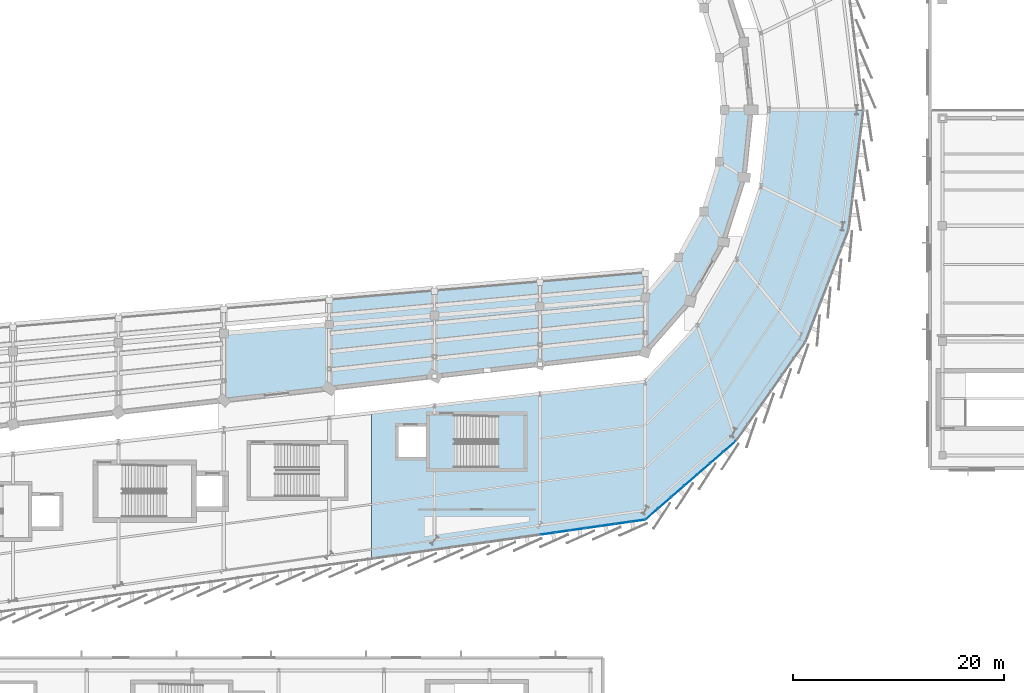
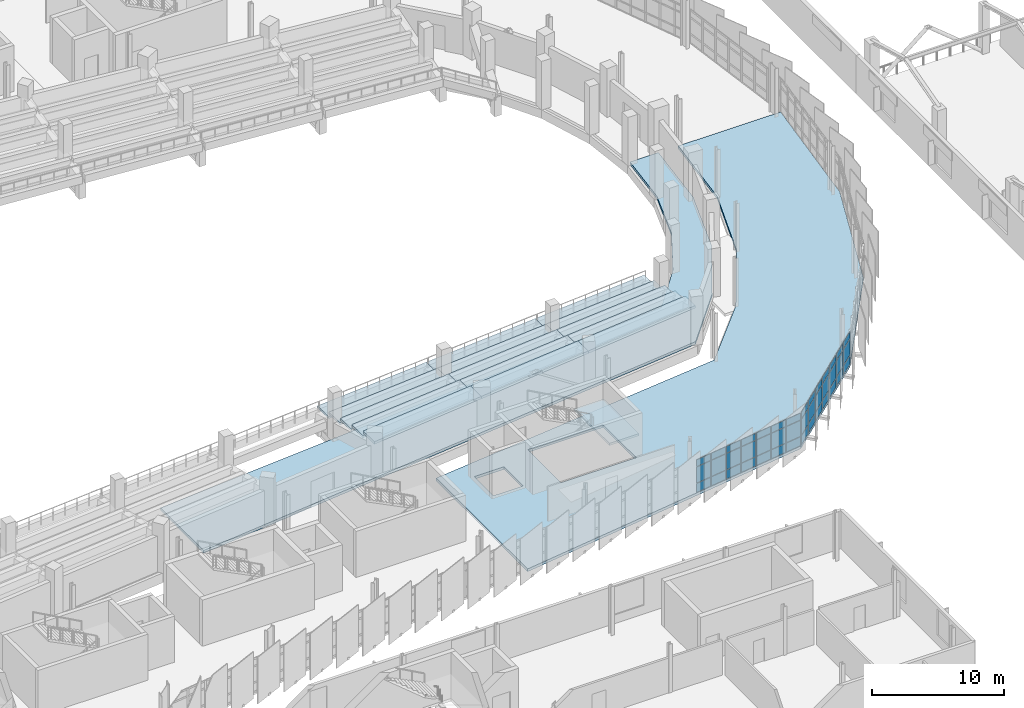
# One storey, part 88 of 120: 42 plates, 18 slabs, 3 elements without a shape of their own.
"""IFC4 building model written with IfcOpenShell, lengths in metres."""

from ifc_helpers import new_model, si_unit, direction, frame, origin, origin_2d, place, context, subcontext, project, spatial, polyline, rectangle, outline, extrude, material, layer, layer_set, type_object, element, aggregate, save


model = new_model("IFC4")

# Units and contexts
model_context = context("Model", 3, precision=1e-05, world=origin(), true_north=direction((0.0, 1.0)))
body_context = subcontext(model_context, "Body", "Model", "MODEL_VIEW")
ifc_project = project(units=[si_unit("LENGTHUNIT", "METRE"), si_unit("AREAUNIT", "SQUARE_METRE"), si_unit("VOLUMEUNIT", "CUBIC_METRE"), si_unit("PLANEANGLEUNIT", "RADIAN"), si_unit("MASSUNIT", "GRAM", prefix="KILO")], contexts=[model_context])

# Site, building, storey
site_placement = place(None, origin())
site = spatial("IfcSite", under=ifc_project, at=site_placement, CompositionType="ELEMENT")
building_placement = place(site_placement, origin())
building = spatial("IfcBuilding", under=site, at=building_placement, Name="Sohan Crest Arena", CompositionType="ELEMENT")
storey_placement = place(building_placement, frame((0.0, 0.0, 13.5)))
storey = spatial("IfcBuildingStorey", under=building, at=storey_placement, Name="L03", CompositionType="ELEMENT", Elevation=13.5)

# Curtain wall, plates
ifc_material_1 = material(Name="Thermally broken anodised aluminium", Category="aluminium")
ifc_layer_1 = layer(ifc_material_1, 0.179931640625, Name="Thermally broken anodised aluminium")
ifc_layer_set_1 = layer_set([ifc_layer_1], Name="Thermally broken anodised aluminium")
curtain_wall_type_1 = type_object("IfcCurtainWallType", Name="ARC-CW01", PredefinedType="NOTDEFINED", material=ifc_layer_set_1)
curtain_wall_1_placement = place(storey_placement, origin())
curtain_wall_1 = element("IfcCurtainWall", 1, at=curtain_wall_1_placement, inside=storey, type_object=curtain_wall_type_1, Name="Unitised curtain wall CW-096", PredefinedType="NOTDEFINED")
ifc_material_2 = material(Name="Ceramic-fritted solar-control insulated glass", Category="glass")
ifc_layer_2 = layer(ifc_material_2, 0.035888671875, Name="Ceramic-fritted solar-control insulated glass")
ifc_layer_set_2 = layer_set([ifc_layer_2], Name="Ceramic-fritted solar-control insulated glass")
plate_type_1 = type_object("IfcPlateType", Name="ARC-CNP03", PredefinedType="CURTAIN_PANEL", material=ifc_layer_set_2)
plate_1_placement = place(storey_placement, frame((158.731689453125, 37.775634765625, 0.06005859375), z_axis=(0.0, 0.0, 1.0), x_axis=(0.989943553128, 0.141462933734, 0.0)))
plate_1 = element("IfcPlate", 2, at=plate_1_placement, type_object=plate_type_1, Name="CW-096 panel 1.1", PredefinedType="CURTAIN_PANEL", context=body_context, shape_type="SweptSolid", body=[
    extrude(rectangle(XDim=1.338134765625, YDim=0.035888671875, at=origin_2d()), origin(), (0.0, 0.0, 1.0), 0.81005859375),
])
plate_2_placement = place(storey_placement, frame((158.731689453125, 37.775634765625, 0.929931640625), z_axis=(0.0, 0.0, 1.0), x_axis=(0.989943553128, 0.141462933734, 0.0)))
plate_2 = element("IfcPlate", 3, at=plate_2_placement, type_object=plate_type_1, Name="CW-096 panel 1.2", PredefinedType="CURTAIN_PANEL", context=body_context, shape_type="SweptSolid", body=[
    extrude(rectangle(XDim=1.338134765625, YDim=0.035888671875, at=origin_2d()), origin(), (0.0, 0.0, 1.0), 1.4599609375),
])
plate_3_placement = place(storey_placement, frame((158.731689453125, 37.775634765625, 2.44970703125), z_axis=(0.0, 0.0, 1.0), x_axis=(0.989943553128, 0.141462933734, 0.0)))
plate_3 = element("IfcPlate", 4, at=plate_3_placement, type_object=plate_type_1, Name="CW-096 panel 1.3", PredefinedType="CURTAIN_PANEL", context=body_context, shape_type="SweptSolid", body=[
    extrude(rectangle(XDim=1.338134765625, YDim=0.035888671875, at=origin_2d()), origin(), (0.0, 0.0, 1.0), 0.610107421875),
])
plate_4_placement = place(storey_placement, frame((160.142822265625, 37.977294921875, 0.06005859375), z_axis=(0.0, 0.0, 1.0), x_axis=(0.989943553128, 0.141462933734, 0.0)))
plate_4 = element("IfcPlate", 5, at=plate_4_placement, type_object=plate_type_1, Name="CW-096 panel 2.1", PredefinedType="CURTAIN_PANEL", context=body_context, shape_type="SweptSolid", body=[
    extrude(rectangle(XDim=1.373046875, YDim=0.035888671875, at=origin_2d()), origin(), (0.0, 0.0, 1.0), 0.81005859375),
])
plate_5_placement = place(storey_placement, frame((160.142822265625, 37.977294921875, 0.929931640625), z_axis=(0.0, 0.0, 1.0), x_axis=(0.989943553128, 0.141462933734, 0.0)))
plate_5 = element("IfcPlate", 6, at=plate_5_placement, type_object=plate_type_1, Name="CW-096 panel 2.2", PredefinedType="CURTAIN_PANEL", context=body_context, shape_type="SweptSolid", body=[
    extrude(rectangle(XDim=1.373046875, YDim=0.035888671875, at=origin_2d()), origin(), (0.0, 0.0, 1.0), 1.4599609375),
])
plate_6_placement = place(storey_placement, frame((160.142822265625, 37.977294921875, 2.44970703125), z_axis=(0.0, 0.0, 1.0), x_axis=(0.989943553128, 0.141462933734, 0.0)))
plate_6 = element("IfcPlate", 7, at=plate_6_placement, type_object=plate_type_1, Name="CW-096 panel 2.3", PredefinedType="CURTAIN_PANEL", context=body_context, shape_type="SweptSolid", body=[
    extrude(rectangle(XDim=1.373046875, YDim=0.035888671875, at=origin_2d()), origin(), (0.0, 0.0, 1.0), 0.610107421875),
])
plate_7_placement = place(storey_placement, frame((161.571533203125, 38.181396484375, 0.06005859375), z_axis=(0.0, 0.0, 1.0), x_axis=(0.989943553128, 0.141462933734, 0.0)))
plate_7 = element("IfcPlate", 8, at=plate_7_placement, type_object=plate_type_1, Name="CW-096 panel 3.1", PredefinedType="CURTAIN_PANEL", context=body_context, shape_type="SweptSolid", body=[
    extrude(rectangle(XDim=1.373046875, YDim=0.035888671875, at=origin_2d()), origin(), (0.0, 0.0, 1.0), 0.81005859375),
])
plate_8_placement = place(storey_placement, frame((161.571533203125, 38.181396484375, 0.929931640625), z_axis=(0.0, 0.0, 1.0), x_axis=(0.989943553128, 0.141462933734, 0.0)))
plate_8 = element("IfcPlate", 9, at=plate_8_placement, type_object=plate_type_1, Name="CW-096 panel 3.2", PredefinedType="CURTAIN_PANEL", context=body_context, shape_type="SweptSolid", body=[
    extrude(rectangle(XDim=1.373046875, YDim=0.035888671875, at=origin_2d()), origin(), (0.0, 0.0, 1.0), 1.4599609375),
])
plate_9_placement = place(storey_placement, frame((161.571533203125, 38.181396484375, 2.44970703125), z_axis=(0.0, 0.0, 1.0), x_axis=(0.989943553128, 0.141462933734, 0.0)))
plate_9 = element("IfcPlate", 10, at=plate_9_placement, type_object=plate_type_1, Name="CW-096 panel 3.3", PredefinedType="CURTAIN_PANEL", context=body_context, shape_type="SweptSolid", body=[
    extrude(rectangle(XDim=1.373046875, YDim=0.035888671875, at=origin_2d()), origin(), (0.0, 0.0, 1.0), 0.610107421875),
])
plate_10_placement = place(storey_placement, frame((163.0, 38.385498046875, 0.06005859375), z_axis=(0.0, 0.0, 1.0), x_axis=(0.989943553128, 0.141462933734, 0.0)))
plate_10 = element("IfcPlate", 11, at=plate_10_placement, type_object=plate_type_1, Name="CW-096 panel 4.1", PredefinedType="CURTAIN_PANEL", context=body_context, shape_type="SweptSolid", body=[
    extrude(rectangle(XDim=1.373046875, YDim=0.035888671875, at=origin_2d()), origin(), (0.0, 0.0, 1.0), 0.81005859375),
])
plate_11_placement = place(storey_placement, frame((163.0, 38.385498046875, 0.929931640625), z_axis=(0.0, 0.0, 1.0), x_axis=(0.989943553128, 0.141462933734, 0.0)))
plate_11 = element("IfcPlate", 12, at=plate_11_placement, type_object=plate_type_1, Name="CW-096 panel 4.2", PredefinedType="CURTAIN_PANEL", context=body_context, shape_type="SweptSolid", body=[
    extrude(rectangle(XDim=1.373046875, YDim=0.035888671875, at=origin_2d()), origin(), (0.0, 0.0, 1.0), 1.4599609375),
])
plate_12_placement = place(storey_placement, frame((163.0, 38.385498046875, 2.44970703125), z_axis=(0.0, 0.0, 1.0), x_axis=(0.989943553128, 0.141462933734, 0.0)))
plate_12 = element("IfcPlate", 13, at=plate_12_placement, type_object=plate_type_1, Name="CW-096 panel 4.3", PredefinedType="CURTAIN_PANEL", context=body_context, shape_type="SweptSolid", body=[
    extrude(rectangle(XDim=1.373046875, YDim=0.035888671875, at=origin_2d()), origin(), (0.0, 0.0, 1.0), 0.610107421875),
])
plate_13_placement = place(storey_placement, frame((164.428466796875, 38.589599609375, 0.06005859375), z_axis=(0.0, 0.0, 1.0), x_axis=(0.989943553128, 0.141462933734, 0.0)))
plate_13 = element("IfcPlate", 14, at=plate_13_placement, type_object=plate_type_1, Name="CW-096 panel 5.1", PredefinedType="CURTAIN_PANEL", context=body_context, shape_type="SweptSolid", body=[
    extrude(rectangle(XDim=1.373046875, YDim=0.035888671875, at=origin_2d()), origin(), (0.0, 0.0, 1.0), 0.81005859375),
])
plate_14_placement = place(storey_placement, frame((164.428466796875, 38.589599609375, 0.929931640625), z_axis=(0.0, 0.0, 1.0), x_axis=(0.989943553128, 0.141462933734, 0.0)))
plate_14 = element("IfcPlate", 15, at=plate_14_placement, type_object=plate_type_1, Name="CW-096 panel 5.2", PredefinedType="CURTAIN_PANEL", context=body_context, shape_type="SweptSolid", body=[
    extrude(rectangle(XDim=1.373046875, YDim=0.035888671875, at=origin_2d()), origin(), (0.0, 0.0, 1.0), 1.4599609375),
])
plate_15_placement = place(storey_placement, frame((164.428466796875, 38.589599609375, 2.44970703125), z_axis=(0.0, 0.0, 1.0), x_axis=(0.989943553128, 0.141462933734, 0.0)))
plate_15 = element("IfcPlate", 16, at=plate_15_placement, type_object=plate_type_1, Name="CW-096 panel 5.3", PredefinedType="CURTAIN_PANEL", context=body_context, shape_type="SweptSolid", body=[
    extrude(rectangle(XDim=1.373046875, YDim=0.035888671875, at=origin_2d()), origin(), (0.0, 0.0, 1.0), 0.610107421875),
])
plate_16_placement = place(storey_placement, frame((165.857177734375, 38.793701171875, 0.06005859375), z_axis=(0.0, 0.0, 1.0), x_axis=(0.989943553128, 0.141462933734, 0.0)))
plate_16 = element("IfcPlate", 17, at=plate_16_placement, type_object=plate_type_1, Name="CW-096 panel 6.1", PredefinedType="CURTAIN_PANEL", context=body_context, shape_type="SweptSolid", body=[
    extrude(rectangle(XDim=1.373046875, YDim=0.035888671875, at=origin_2d()), origin(), (0.0, 0.0, 1.0), 0.81005859375),
])
plate_17_placement = place(storey_placement, frame((165.857177734375, 38.793701171875, 0.929931640625), z_axis=(0.0, 0.0, 1.0), x_axis=(0.989943553128, 0.141462933734, 0.0)))
plate_17 = element("IfcPlate", 18, at=plate_17_placement, type_object=plate_type_1, Name="CW-096 panel 6.2", PredefinedType="CURTAIN_PANEL", context=body_context, shape_type="SweptSolid", body=[
    extrude(rectangle(XDim=1.373046875, YDim=0.035888671875, at=origin_2d()), origin(), (0.0, 0.0, 1.0), 1.4599609375),
])
plate_18_placement = place(storey_placement, frame((165.857177734375, 38.793701171875, 2.44970703125), z_axis=(0.0, 0.0, 1.0), x_axis=(0.989943553128, 0.141462933734, 0.0)))
plate_18 = element("IfcPlate", 19, at=plate_18_placement, type_object=plate_type_1, Name="CW-096 panel 6.3", PredefinedType="CURTAIN_PANEL", context=body_context, shape_type="SweptSolid", body=[
    extrude(rectangle(XDim=1.373046875, YDim=0.035888671875, at=origin_2d()), origin(), (0.0, 0.0, 1.0), 0.610107421875),
])
plate_19_placement = place(storey_placement, frame((167.268310546875, 38.995361328125, 0.06005859375), z_axis=(0.0, 0.0, 1.0), x_axis=(0.989943553128, 0.141462933734, 0.0)))
plate_19 = element("IfcPlate", 20, at=plate_19_placement, type_object=plate_type_1, Name="CW-096 panel 7.1", PredefinedType="CURTAIN_PANEL", context=body_context, shape_type="SweptSolid", body=[
    extrude(rectangle(XDim=1.338134765625, YDim=0.035888671875, at=origin_2d()), origin(), (0.0, 0.0, 1.0), 0.81005859375),
])
plate_20_placement = place(storey_placement, frame((167.268310546875, 38.995361328125, 0.929931640625), z_axis=(0.0, 0.0, 1.0), x_axis=(0.989943553128, 0.141462933734, 0.0)))
plate_20 = element("IfcPlate", 21, at=plate_20_placement, type_object=plate_type_1, Name="CW-096 panel 7.2", PredefinedType="CURTAIN_PANEL", context=body_context, shape_type="SweptSolid", body=[
    extrude(rectangle(XDim=1.338134765625, YDim=0.035888671875, at=origin_2d()), origin(), (0.0, 0.0, 1.0), 1.4599609375),
])
plate_21_placement = place(storey_placement, frame((167.268310546875, 38.995361328125, 2.44970703125), z_axis=(0.0, 0.0, 1.0), x_axis=(0.989943553128, 0.141462933734, 0.0)))
plate_21 = element("IfcPlate", 22, at=plate_21_placement, type_object=plate_type_1, Name="CW-096 panel 7.3", PredefinedType="CURTAIN_PANEL", context=body_context, shape_type="SweptSolid", body=[
    extrude(rectangle(XDim=1.338134765625, YDim=0.035888671875, at=origin_2d()), origin(), (0.0, 0.0, 1.0), 0.610107421875),
])
aggregate(curtain_wall_1, [plate_1, plate_2, plate_3, plate_4, plate_5, plate_6, plate_7, plate_8, plate_9, plate_10, plate_11, plate_12, plate_13, plate_14, plate_15, plate_16, plate_17, plate_18, plate_19, plate_20, plate_21])

ifc_layer_3 = layer(ifc_material_1, 0.199951171875, Name="Thermally broken anodised aluminium")
ifc_layer_set_3 = layer_set([ifc_layer_3], Name="Thermally broken anodised aluminium")
curtain_wall_type_2 = type_object("IfcCurtainWallType", Name="ARC-CW02", PredefinedType="NOTDEFINED", material=ifc_layer_set_3)
curtain_wall_2_placement = place(storey_placement, origin())
curtain_wall_2 = element("IfcCurtainWall", 23, at=curtain_wall_2_placement, inside=storey, type_object=curtain_wall_type_2, Name="Unitised curtain wall CW-097", PredefinedType="NOTDEFINED")
ifc_material_3 = material(Name="Insulated polychrome ceramic spandrel panel", Category="masonry")
ifc_layer_4 = layer(ifc_material_3, 0.0419921875, Name="Insulated polychrome ceramic spandrel panel")
ifc_layer_set_4 = layer_set([ifc_layer_4], Name="Insulated polychrome ceramic spandrel panel")
plate_type_2 = type_object("IfcPlateType", Name="ARC-CNP04", PredefinedType="CURTAIN_PANEL", material=ifc_layer_set_4)
plate_22_placement = place(storey_placement, frame((168.631103515625, 39.64794921875, 0.06494140625), z_axis=(0.0, 0.0, 1.0), x_axis=(0.755094613026, 0.655615836736, 0.0)))
plate_22 = element("IfcPlate", 24, at=plate_22_placement, type_object=plate_type_2, Name="CW-097 panel 1.1", PredefinedType="CURTAIN_PANEL", context=body_context, shape_type="SweptSolid", body=[
    extrude(rectangle(XDim=1.521728515625, YDim=0.0419921875, at=origin_2d()), origin(), (0.0, 0.0, 1.0), 0.802490234375),
])
plate_23_placement = place(storey_placement, frame((168.631103515625, 39.64794921875, 0.932373046875), z_axis=(0.0, 0.0, 1.0), x_axis=(0.755094613026, 0.655615836736, 0.0)))
plate_23 = element("IfcPlate", 25, at=plate_23_placement, type_object=plate_type_2, Name="CW-097 panel 1.2", PredefinedType="CURTAIN_PANEL", context=body_context, shape_type="SweptSolid", body=[
    extrude(rectangle(XDim=1.521728515625, YDim=0.0419921875, at=origin_2d()), origin(), (0.0, 0.0, 1.0), 1.455078125),
])
plate_24_placement = place(storey_placement, frame((168.631103515625, 39.64794921875, 2.452392578125), z_axis=(0.0, 0.0, 1.0), x_axis=(0.755094613026, 0.655615836736, 0.0)))
plate_24 = element("IfcPlate", 26, at=plate_24_placement, type_object=plate_type_2, Name="CW-097 panel 1.3", PredefinedType="CURTAIN_PANEL", context=body_context, shape_type="SweptSolid", body=[
    extrude(rectangle(XDim=1.521728515625, YDim=0.0419921875, at=origin_2d()), origin(), (0.0, 0.0, 1.0), 0.6025390625),
])
plate_25_placement = place(storey_placement, frame((169.85107421875, 40.70703125, 0.06494140625), z_axis=(0.0, 0.0, 1.0), x_axis=(0.755094613026, 0.655615836736, 0.0)))
plate_25 = element("IfcPlate", 27, at=plate_25_placement, type_object=plate_type_2, Name="CW-097 panel 2.1", PredefinedType="CURTAIN_PANEL", context=body_context, shape_type="SweptSolid", body=[
    extrude(rectangle(XDim=1.559326171875, YDim=0.0419921875, at=origin_2d()), origin(), (0.0, 0.0, 1.0), 0.802490234375),
])
plate_26_placement = place(storey_placement, frame((169.85107421875, 40.70703125, 0.932373046875), z_axis=(0.0, 0.0, 1.0), x_axis=(0.755094613026, 0.655615836736, 0.0)))
plate_26 = element("IfcPlate", 28, at=plate_26_placement, type_object=plate_type_2, Name="CW-097 panel 2.2", PredefinedType="CURTAIN_PANEL", context=body_context, shape_type="SweptSolid", body=[
    extrude(rectangle(XDim=1.559326171875, YDim=0.0419921875, at=origin_2d()), origin(), (0.0, 0.0, 1.0), 1.455078125),
])
plate_27_placement = place(storey_placement, frame((169.85107421875, 40.70703125, 2.452392578125), z_axis=(0.0, 0.0, 1.0), x_axis=(0.755094613026, 0.655615836736, 0.0)))
plate_27 = element("IfcPlate", 29, at=plate_27_placement, type_object=plate_type_2, Name="CW-097 panel 2.3", PredefinedType="CURTAIN_PANEL", context=body_context, shape_type="SweptSolid", body=[
    extrude(rectangle(XDim=1.559326171875, YDim=0.0419921875, at=origin_2d()), origin(), (0.0, 0.0, 1.0), 0.6025390625),
])
plate_28_placement = place(storey_placement, frame((171.0849609375, 41.778564453125, 0.06494140625), z_axis=(0.0, 0.0, 1.0), x_axis=(0.755094613026, 0.655615836736, 0.0)))
plate_28 = element("IfcPlate", 30, at=plate_28_placement, type_object=plate_type_2, Name="CW-097 panel 3.1", PredefinedType="CURTAIN_PANEL", context=body_context, shape_type="SweptSolid", body=[
    extrude(rectangle(XDim=1.559326171875, YDim=0.0419921875, at=origin_2d()), origin(), (0.0, 0.0, 1.0), 0.802490234375),
])
plate_29_placement = place(storey_placement, frame((171.0849609375, 41.778564453125, 0.932373046875), z_axis=(0.0, 0.0, 1.0), x_axis=(0.755094613026, 0.655615836736, 0.0)))
plate_29 = element("IfcPlate", 31, at=plate_29_placement, type_object=plate_type_2, Name="CW-097 panel 3.2", PredefinedType="CURTAIN_PANEL", context=body_context, shape_type="SweptSolid", body=[
    extrude(rectangle(XDim=1.559326171875, YDim=0.0419921875, at=origin_2d()), origin(), (0.0, 0.0, 1.0), 1.455078125),
])
plate_30_placement = place(storey_placement, frame((171.0849609375, 41.778564453125, 2.452392578125), z_axis=(0.0, 0.0, 1.0), x_axis=(0.755094613026, 0.655615836736, 0.0)))
plate_30 = element("IfcPlate", 32, at=plate_30_placement, type_object=plate_type_2, Name="CW-097 panel 3.3", PredefinedType="CURTAIN_PANEL", context=body_context, shape_type="SweptSolid", body=[
    extrude(rectangle(XDim=1.559326171875, YDim=0.0419921875, at=origin_2d()), origin(), (0.0, 0.0, 1.0), 0.6025390625),
])
plate_31_placement = place(storey_placement, frame((172.319091796875, 42.85009765625, 0.06494140625), z_axis=(0.0, 0.0, 1.0), x_axis=(0.755094613026, 0.655615836736, 0.0)))
plate_31 = element("IfcPlate", 33, at=plate_31_placement, type_object=plate_type_2, Name="CW-097 panel 4.1", PredefinedType="CURTAIN_PANEL", context=body_context, shape_type="SweptSolid", body=[
    extrude(rectangle(XDim=1.559326171875, YDim=0.0419921875, at=origin_2d()), origin(), (0.0, 0.0, 1.0), 0.802490234375),
])
plate_32_placement = place(storey_placement, frame((172.319091796875, 42.85009765625, 0.932373046875), z_axis=(0.0, 0.0, 1.0), x_axis=(0.755094613026, 0.655615836736, 0.0)))
plate_32 = element("IfcPlate", 34, at=plate_32_placement, type_object=plate_type_2, Name="CW-097 panel 4.2", PredefinedType="CURTAIN_PANEL", context=body_context, shape_type="SweptSolid", body=[
    extrude(rectangle(XDim=1.559326171875, YDim=0.0419921875, at=origin_2d()), origin(), (0.0, 0.0, 1.0), 1.455078125),
])
plate_33_placement = place(storey_placement, frame((172.319091796875, 42.85009765625, 2.452392578125), z_axis=(0.0, 0.0, 1.0), x_axis=(0.755094613026, 0.655615836736, 0.0)))
plate_33 = element("IfcPlate", 35, at=plate_33_placement, type_object=plate_type_2, Name="CW-097 panel 4.3", PredefinedType="CURTAIN_PANEL", context=body_context, shape_type="SweptSolid", body=[
    extrude(rectangle(XDim=1.559326171875, YDim=0.0419921875, at=origin_2d()), origin(), (0.0, 0.0, 1.0), 0.6025390625),
])
plate_34_placement = place(storey_placement, frame((173.552978515625, 43.92138671875, 0.06494140625), z_axis=(0.0, 0.0, 1.0), x_axis=(0.755094613026, 0.655615836736, 0.0)))
plate_34 = element("IfcPlate", 36, at=plate_34_placement, type_object=plate_type_2, Name="CW-097 panel 5.1", PredefinedType="CURTAIN_PANEL", context=body_context, shape_type="SweptSolid", body=[
    extrude(rectangle(XDim=1.559326171875, YDim=0.0419921875, at=origin_2d()), origin(), (0.0, 0.0, 1.0), 0.802490234375),
])
plate_35_placement = place(storey_placement, frame((173.552978515625, 43.92138671875, 0.932373046875), z_axis=(0.0, 0.0, 1.0), x_axis=(0.755094613026, 0.655615836736, 0.0)))
plate_35 = element("IfcPlate", 37, at=plate_35_placement, type_object=plate_type_2, Name="CW-097 panel 5.2", PredefinedType="CURTAIN_PANEL", context=body_context, shape_type="SweptSolid", body=[
    extrude(rectangle(XDim=1.559326171875, YDim=0.0419921875, at=origin_2d()), origin(), (0.0, 0.0, 1.0), 1.455078125),
])
plate_36_placement = place(storey_placement, frame((173.552978515625, 43.92138671875, 2.452392578125), z_axis=(0.0, 0.0, 1.0), x_axis=(0.755094613026, 0.655615836736, 0.0)))
plate_36 = element("IfcPlate", 38, at=plate_36_placement, type_object=plate_type_2, Name="CW-097 panel 5.3", PredefinedType="CURTAIN_PANEL", context=body_context, shape_type="SweptSolid", body=[
    extrude(rectangle(XDim=1.559326171875, YDim=0.0419921875, at=origin_2d()), origin(), (0.0, 0.0, 1.0), 0.6025390625),
])
plate_37_placement = place(storey_placement, frame((174.787109375, 44.992919921875, 0.06494140625), z_axis=(0.0, 0.0, 1.0), x_axis=(0.755094613026, 0.655615836736, 0.0)))
plate_37 = element("IfcPlate", 39, at=plate_37_placement, type_object=plate_type_2, Name="CW-097 panel 6.1", PredefinedType="CURTAIN_PANEL", context=body_context, shape_type="SweptSolid", body=[
    extrude(rectangle(XDim=1.559326171875, YDim=0.0419921875, at=origin_2d()), origin(), (0.0, 0.0, 1.0), 0.802490234375),
])
plate_38_placement = place(storey_placement, frame((174.787109375, 44.992919921875, 0.932373046875), z_axis=(0.0, 0.0, 1.0), x_axis=(0.755094613026, 0.655615836736, 0.0)))
plate_38 = element("IfcPlate", 40, at=plate_38_placement, type_object=plate_type_2, Name="CW-097 panel 6.2", PredefinedType="CURTAIN_PANEL", context=body_context, shape_type="SweptSolid", body=[
    extrude(rectangle(XDim=1.559326171875, YDim=0.0419921875, at=origin_2d()), origin(), (0.0, 0.0, 1.0), 1.455078125),
])
plate_39_placement = place(storey_placement, frame((174.787109375, 44.992919921875, 2.452392578125), z_axis=(0.0, 0.0, 1.0), x_axis=(0.755094613026, 0.655615836736, 0.0)))
plate_39 = element("IfcPlate", 41, at=plate_39_placement, type_object=plate_type_2, Name="CW-097 panel 6.3", PredefinedType="CURTAIN_PANEL", context=body_context, shape_type="SweptSolid", body=[
    extrude(rectangle(XDim=1.559326171875, YDim=0.0419921875, at=origin_2d()), origin(), (0.0, 0.0, 1.0), 0.6025390625),
])
plate_40_placement = place(storey_placement, frame((176.0068359375, 46.052001953125, 0.06494140625), z_axis=(0.0, 0.0, 1.0), x_axis=(0.755094613026, 0.655615836736, 0.0)))
plate_40 = element("IfcPlate", 42, at=plate_40_placement, type_object=plate_type_2, Name="CW-097 panel 7.1", PredefinedType="CURTAIN_PANEL", context=body_context, shape_type="SweptSolid", body=[
    extrude(rectangle(XDim=1.521728515625, YDim=0.0419921875, at=origin_2d()), origin(), (0.0, 0.0, 1.0), 0.802490234375),
])
plate_41_placement = place(storey_placement, frame((176.0068359375, 46.052001953125, 0.932373046875), z_axis=(0.0, 0.0, 1.0), x_axis=(0.755094613026, 0.655615836736, 0.0)))
plate_41 = element("IfcPlate", 43, at=plate_41_placement, type_object=plate_type_2, Name="CW-097 panel 7.2", PredefinedType="CURTAIN_PANEL", context=body_context, shape_type="SweptSolid", body=[
    extrude(rectangle(XDim=1.521728515625, YDim=0.0419921875, at=origin_2d()), origin(), (0.0, 0.0, 1.0), 1.455078125),
])
plate_42_placement = place(storey_placement, frame((176.0068359375, 46.052001953125, 2.452392578125), z_axis=(0.0, 0.0, 1.0), x_axis=(0.755094613026, 0.655615836736, 0.0)))
plate_42 = element("IfcPlate", 44, at=plate_42_placement, type_object=plate_type_2, Name="CW-097 panel 7.3", PredefinedType="CURTAIN_PANEL", context=body_context, shape_type="SweptSolid", body=[
    extrude(rectangle(XDim=1.521728515625, YDim=0.0419921875, at=origin_2d()), origin(), (0.0, 0.0, 1.0), 0.6025390625),
])
aggregate(curtain_wall_2, [plate_22, plate_23, plate_24, plate_25, plate_26, plate_27, plate_28, plate_29, plate_30, plate_31, plate_32, plate_33, plate_34, plate_35, plate_36, plate_37, plate_38, plate_39, plate_40, plate_41, plate_42])

# Slabs
ifc_material_4 = material(Name="Concrete C40/50", Category="concrete")
ifc_layer_5 = layer(ifc_material_4, 0.25, Name="Concrete C40/50")
ifc_layer_set_5 = layer_set([ifc_layer_5], Name="Concrete C40/50")
slab_type_1 = type_object("IfcSlabType", Name="SL-FLR3", PredefinedType="FLOOR", material=ifc_layer_set_5)
slab_1_placement = place(storey_placement, frame((0.0, 0.0, -0.25)))
element("IfcSlab", 45, at=slab_1_placement, inside=storey, type_object=slab_type_1, Name="Bowl vomitory ring L03 Q4 SL-L03-V1Q4", PredefinedType="FLOOR", context=body_context, shape_type="SweptSolid", body=[
    extrude(outline(polyline([(177.363037109375, 71.593017578125), (175.408935546875, 65.455078125), (172.242919921875, 59.845947265625), (168.0, 55.0), (122.0, 49.742919921875), (122.0, 56.257080078125), (168.0, 60.199951171875), (171.194091796875, 63.988037109375), (173.571044921875, 68.3359375), (175.037109375, 73.070068359375), (175.531982421875, 78.0), (178.02294921875, 78.0), (177.363037109375, 71.593017578125)])), origin(), (0.0, 0.0, 1.0), 0.25),
])
slab_2_placement = place(storey_placement, frame((0.0, 0.0, -0.25)))
element("IfcSlab", 46, at=slab_2_placement, inside=storey, type_object=slab_type_1, Name="Concourse ring L03 sector 6 SL-L03-V2S6", PredefinedType="FLOOR", context=body_context, shape_type="SweptSolid", body=[
    extrude(outline(polyline([(187.305908203125, 66.64599609375), (183.202880859375, 55.967041015625), (176.637939453125, 46.60009765625), (168.0, 39.10009765625), (142.0, 35.385986328125), (142.0, 49.22802734375), (168.0, 52.199951171875), (172.9609375, 57.547119140625), (176.674072265625, 63.824951171875), (178.971923828125, 70.748046875), (179.75, 78.0), (188.700927734375, 78.0), (187.305908203125, 66.64599609375)]), holes=[polyline([(156.449951171875, 49.0), (149.8701171875, 49.0), (149.8701171875, 44.0), (156.449951171875, 44.0), (156.449951171875, 49.0)]), polyline([(147.199951171875, 45.050048828125), (147.199951171875, 47.949951171875), (144.60009765625, 47.949951171875), (144.60009765625, 45.050048828125), (147.199951171875, 45.050048828125)])]), origin(), (0.0, 0.0, 1.0), 0.25),
])

# Stair, slab
stair_type = type_object("IfcStairType", Name="ST-450", PredefinedType="TWO_STRAIGHT_RUN_STAIR", material=ifc_material_4)
stair_placement = place(storey_placement, origin())
stair = element("IfcStair", 47, at=stair_placement, inside=storey, type_object=stair_type, Name="Protected exit stair ST09-L03", PredefinedType="TWO_STRAIGHT_RUN_STAIR")
ifc_layer_6 = layer(ifc_material_4, 0.199951171875, Name="Concrete C40/50")
ifc_layer_set_6 = layer_set([ifc_layer_6], Name="Concrete C40/50")
slab_type_2 = type_object("IfcSlabType", Name="SL-LND1", PredefinedType="LANDING", material=ifc_layer_set_6)
slab_3_placement = place(storey_placement, frame((0.0, 0.0, 2.050048828125)))
slab_3 = element("IfcSlab", 48, at=slab_3_placement, type_object=slab_type_2, Name="ST09-L03 landing 1", PredefinedType="LANDING", context=body_context, shape_type="SweptSolid", body=[
    extrude(outline(polyline([(154.030029296875, 43.85009765625), (156.60009765625, 43.85009765625), (156.60009765625, 49.14990234375), (154.030029296875, 49.14990234375), (154.030029296875, 43.85009765625)])), origin(), (0.0, 0.0, 1.0), 0.199951171875),
])
aggregate(stair, [slab_3])

# Slabs
ifc_material_5 = material(Name="Precast concrete C50/60", Category="concrete")
ifc_layer_7 = layer(ifc_material_5, 0.205078125, Name="Precast concrete C50/60")
ifc_layer_set_7 = layer_set([ifc_layer_7], Name="Precast concrete C50/60")
slab_type_3 = type_object("IfcSlabType", Name="SL-TIER2", PredefinedType="USERDEFINED", material=ifc_layer_set_7)
slab_4_placement = place(storey_placement, frame((0.0, 0.0, 1.2109375)))
element("IfcSlab", 49, at=slab_4_placement, inside=storey, type_object=slab_type_3, Name="Upper cantilevered precast seating tier ST-UPP-136", ObjectType="SEATING TIER", PredefinedType="USERDEFINED", context=body_context, shape_type="SweptSolid", body=[
    extrude(outline(polyline([(138.0, 60.22900390625), (148.0, 61.0859375), (148.0, 59.47900390625), (138.0, 58.56689453125), (138.0, 60.22900390625)])), origin(), (0.0, 0.0, 1.0), 0.205078125),
])
slab_5_placement = place(storey_placement, frame((0.0, 0.0, 1.6708984375)))
element("IfcSlab", 50, at=slab_5_placement, inside=storey, type_object=slab_type_3, Name="Upper cantilevered precast seating tier ST-UPP-137", ObjectType="SEATING TIER", PredefinedType="USERDEFINED", context=body_context, shape_type="SweptSolid", body=[
    extrude(outline(polyline([(138.0, 58.4970703125), (148.0, 59.412109375), (148.0, 57.803955078125), (138.0, 56.8349609375), (138.0, 58.4970703125)])), origin(), (0.0, 0.0, 1.0), 0.205078125),
])
slab_6_placement = place(storey_placement, frame((0.0, 0.0, 1.2109375)))
element("IfcSlab", 51, at=slab_6_placement, inside=storey, type_object=slab_type_3, Name="Upper cantilevered precast seating tier ST-UPP-146", ObjectType="SEATING TIER", PredefinedType="USERDEFINED", context=body_context, shape_type="SweptSolid", body=[
    extrude(outline(polyline([(148.0, 61.0859375), (158.0, 61.943115234375), (158.0, 60.389892578125), (148.0, 59.47900390625), (148.0, 61.0859375)])), origin(), (0.0, 0.0, 1.0), 0.205078125),
])
slab_7_placement = place(storey_placement, frame((0.0, 0.0, 1.6708984375)))
element("IfcSlab", 52, at=slab_7_placement, inside=storey, type_object=slab_type_3, Name="Upper cantilevered precast seating tier ST-UPP-147", ObjectType="SEATING TIER", PredefinedType="USERDEFINED", context=body_context, shape_type="SweptSolid", body=[
    extrude(outline(polyline([(148.0, 59.412109375), (158.0, 60.325927734375), (158.0, 58.77294921875), (148.0, 57.803955078125), (148.0, 59.412109375)])), origin(), (0.0, 0.0, 1.0), 0.205078125),
])
slab_8_placement = place(storey_placement, frame((0.0, 0.0, 1.2109375)))
element("IfcSlab", 53, at=slab_8_placement, inside=storey, type_object=slab_type_3, Name="Upper cantilevered precast seating tier ST-UPP-156", ObjectType="SEATING TIER", PredefinedType="USERDEFINED", context=body_context, shape_type="SweptSolid", body=[
    extrude(outline(polyline([(158.0, 61.943115234375), (168.0, 62.800048828125), (168.0, 61.302001953125), (158.0, 60.389892578125), (158.0, 61.943115234375)])), origin(), (0.0, 0.0, 1.0), 0.205078125),
])
slab_9_placement = place(storey_placement, frame((0.0, 0.0, 1.6708984375)))
element("IfcSlab", 54, at=slab_9_placement, inside=storey, type_object=slab_type_3, Name="Upper cantilevered precast seating tier ST-UPP-157", ObjectType="SEATING TIER", PredefinedType="USERDEFINED", context=body_context, shape_type="SweptSolid", body=[
    extrude(outline(polyline([(158.0, 60.325927734375), (168.0, 61.239990234375), (168.0, 59.741943359375), (158.0, 58.77294921875), (158.0, 60.325927734375)])), origin(), (0.0, 0.0, 1.0), 0.205078125),
])
ifc_layer_8 = layer(ifc_material_5, 0.235107421875, Name="Precast concrete C50/60")
ifc_layer_set_8 = layer_set([ifc_layer_8], Name="Precast concrete C50/60")
slab_type_4 = type_object("IfcSlabType", Name="SL-TIER3", PredefinedType="USERDEFINED", material=ifc_layer_set_8)
slab_10_placement = place(storey_placement, frame((0.0, 0.0, 2.131103515625)))
element("IfcSlab", 55, at=slab_10_placement, inside=storey, type_object=slab_type_4, Name="Upper cantilevered precast seating tier ST-UPP-138", ObjectType="SEATING TIER", PredefinedType="USERDEFINED", context=body_context, shape_type="SweptSolid", body=[
    extrude(outline(polyline([(138.0, 56.76611328125), (148.0, 57.737060546875), (148.0, 56.1298828125), (138.0, 55.10302734375), (138.0, 56.76611328125)])), origin(), (0.0, 0.0, 1.0), 0.23486328125),
])
slab_11_placement = place(storey_placement, frame((0.0, 0.0, 2.591064453125)))
element("IfcSlab", 56, at=slab_11_placement, inside=storey, type_object=slab_type_4, Name="Upper cantilevered precast seating tier ST-UPP-139", ObjectType="SEATING TIER", PredefinedType="USERDEFINED", context=body_context, shape_type="SweptSolid", body=[
    extrude(outline(polyline([(138.0, 55.033935546875), (148.0, 56.06298828125), (148.0, 54.455078125), (138.0, 53.3720703125), (138.0, 55.033935546875)])), origin(), (0.0, 0.0, 1.0), 0.23486328125),
])
slab_12_placement = place(storey_placement, frame((0.0, 0.0, 3.051025390625)))
element("IfcSlab", 57, at=slab_12_placement, inside=storey, type_object=slab_type_4, Name="Upper cantilevered precast seating tier ST-UPP-140", ObjectType="SEATING TIER", PredefinedType="USERDEFINED", context=body_context, shape_type="SweptSolid", body=[
    extrude(outline(polyline([(138.0, 53.302978515625), (148.0, 54.387939453125), (148.0, 52.781005859375), (138.0, 51.639892578125), (138.0, 53.302978515625)])), origin(), (0.0, 0.0, 1.0), 0.23486328125),
])
slab_13_placement = place(storey_placement, frame((0.0, 0.0, 2.131103515625)))
element("IfcSlab", 58, at=slab_13_placement, inside=storey, type_object=slab_type_4, Name="Upper cantilevered precast seating tier ST-UPP-148", ObjectType="SEATING TIER", PredefinedType="USERDEFINED", context=body_context, shape_type="SweptSolid", body=[
    extrude(outline(polyline([(148.0, 57.737060546875), (158.0, 58.708984375), (158.0, 57.156005859375), (148.0, 56.1298828125), (148.0, 57.737060546875)])), origin(), (0.0, 0.0, 1.0), 0.23486328125),
])
slab_14_placement = place(storey_placement, frame((0.0, 0.0, 2.591064453125)))
element("IfcSlab", 59, at=slab_14_placement, inside=storey, type_object=slab_type_4, Name="Upper cantilevered precast seating tier ST-UPP-149", ObjectType="SEATING TIER", PredefinedType="USERDEFINED", context=body_context, shape_type="SweptSolid", body=[
    extrude(outline(polyline([(148.0, 56.06298828125), (158.0, 57.091064453125), (158.0, 55.5390625), (148.0, 54.455078125), (148.0, 56.06298828125)])), origin(), (0.0, 0.0, 1.0), 0.23486328125),
])
slab_15_placement = place(storey_placement, frame((0.0, 0.0, 3.051025390625)))
element("IfcSlab", 60, at=slab_15_placement, inside=storey, type_object=slab_type_4, Name="Upper cantilevered precast seating tier ST-UPP-150", ObjectType="SEATING TIER", PredefinedType="USERDEFINED", context=body_context, shape_type="SweptSolid", body=[
    extrude(outline(polyline([(148.0, 54.387939453125), (158.0, 55.47412109375), (158.0, 53.922119140625), (148.0, 52.781005859375), (148.0, 54.387939453125)])), origin(), (0.0, 0.0, 1.0), 0.23486328125),
])
slab_16_placement = place(storey_placement, frame((0.0, 0.0, 2.131103515625)))
element("IfcSlab", 61, at=slab_16_placement, inside=storey, type_object=slab_type_4, Name="Upper cantilevered precast seating tier ST-UPP-158", ObjectType="SEATING TIER", PredefinedType="USERDEFINED", context=body_context, shape_type="SweptSolid", body=[
    extrude(outline(polyline([(158.0, 58.708984375), (168.0, 59.679931640625), (168.0, 58.181884765625), (158.0, 57.156005859375), (158.0, 58.708984375)])), origin(), (0.0, 0.0, 1.0), 0.23486328125),
])
slab_17_placement = place(storey_placement, frame((0.0, 0.0, 2.591064453125)))
element("IfcSlab", 62, at=slab_17_placement, inside=storey, type_object=slab_type_4, Name="Upper cantilevered precast seating tier ST-UPP-159", ObjectType="SEATING TIER", PredefinedType="USERDEFINED", context=body_context, shape_type="SweptSolid", body=[
    extrude(outline(polyline([(158.0, 57.091064453125), (168.0, 58.1201171875), (168.0, 56.6220703125), (158.0, 55.5390625), (158.0, 57.091064453125)])), origin(), (0.0, 0.0, 1.0), 0.23486328125),
])
slab_18_placement = place(storey_placement, frame((0.0, 0.0, 3.051025390625)))
element("IfcSlab", 63, at=slab_18_placement, inside=storey, type_object=slab_type_4, Name="Upper cantilevered precast seating tier ST-UPP-160", ObjectType="SEATING TIER", PredefinedType="USERDEFINED", context=body_context, shape_type="SweptSolid", body=[
    extrude(outline(polyline([(158.0, 55.47412109375), (168.0, 56.56005859375), (168.0, 55.06201171875), (158.0, 53.922119140625), (158.0, 55.47412109375)])), origin(), (0.0, 0.0, 1.0), 0.23486328125),
])

save(model, "model.ifc")
